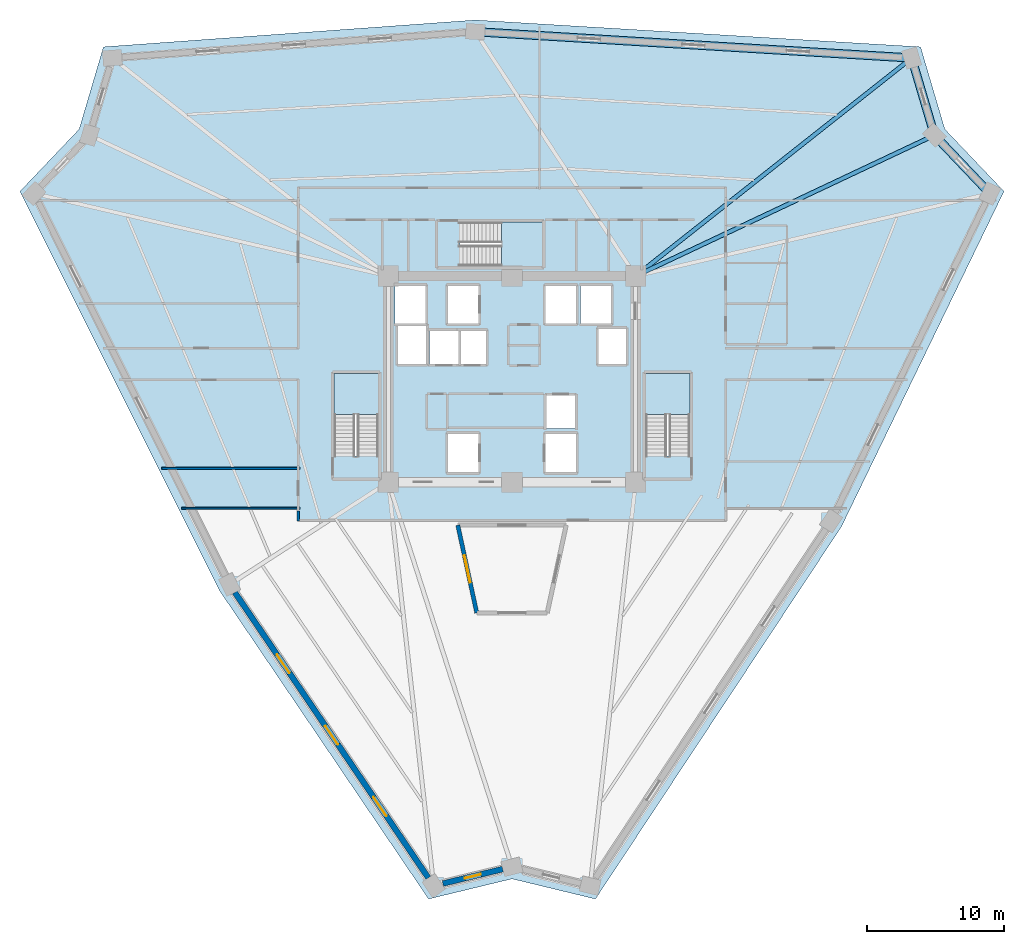
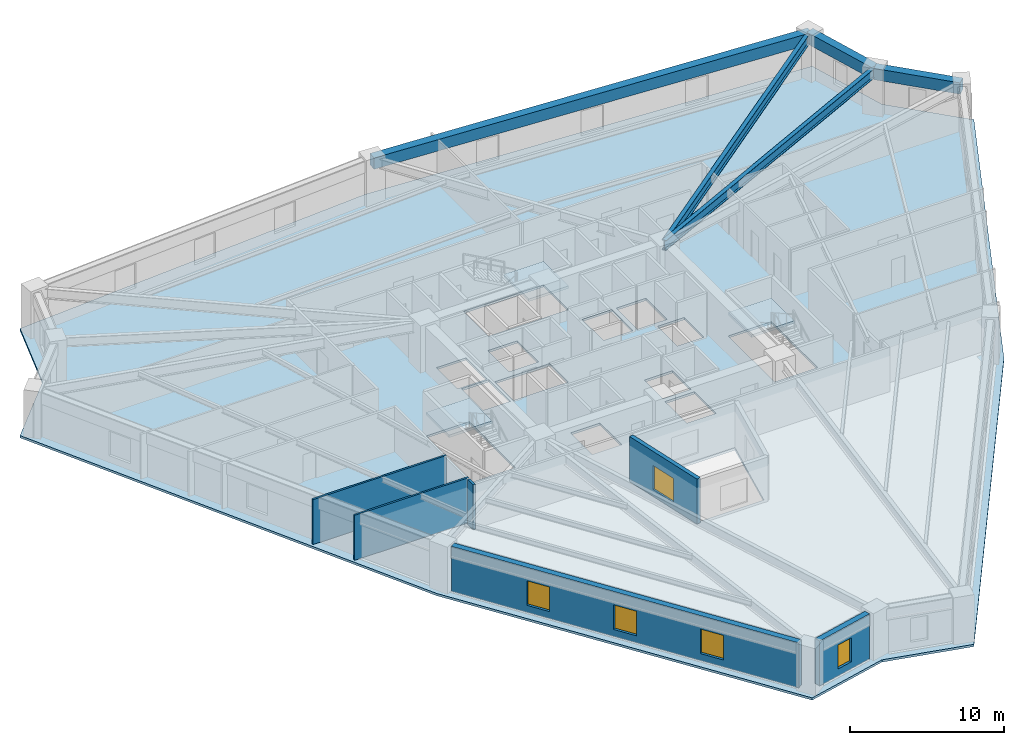
# One storey, part 2 of 10: 6 walls, 5 beams, 5 windows, 4 slabs, 5 openings, 3 elements without a shape of their own.
"""IFC4 building model written with IfcOpenShell, lengths in metres."""

from ifc_helpers import new_model, si_unit, direction, frame, frame_2d, origin, origin_2d, place, context, subcontext, project, spatial, polyline, rectangle, i_section, outline, extrude, source, transform, mapped, material, layer, layer_set, material_profile, profile_set, type_object, element, fill, aggregate, save


model = new_model("IFC4")

# Units and contexts
model_context = context("Model", 3, precision=1e-05, world=origin(), true_north=direction((0.0, 1.0)))
body_context = subcontext(model_context, "Body", "Model", "MODEL_VIEW")
ifc_project = project(units=[si_unit("LENGTHUNIT", "METRE"), si_unit("AREAUNIT", "SQUARE_METRE"), si_unit("VOLUMEUNIT", "CUBIC_METRE"), si_unit("PLANEANGLEUNIT", "RADIAN"), si_unit("MASSUNIT", "GRAM", prefix="KILO")], contexts=[model_context])

# Site, building, storey
site_placement = place(None, origin())
site = spatial("IfcSite", under=ifc_project, at=site_placement, CompositionType="ELEMENT")
building_placement = place(site_placement, origin())
building = spatial("IfcBuilding", under=site, at=building_placement, Name="Liaohun Quay Tower", CompositionType="ELEMENT")
storey_placement = place(building_placement, frame((0.0, 0.0, 166.5)))
storey = spatial("IfcBuildingStorey", under=building, at=storey_placement, Name="L43", CompositionType="ELEMENT", Elevation=166.5)

# Beams
ifc_material_1 = material(Name="Steel Q355D", Category="steel")
ifc_material_profile_1 = material_profile(ifc_material_1, i_section(OverallWidth=0.300048828125, OverallDepth=0.75, WebThickness=0.013916015625, FlangeThickness=0.02587890625, at=origin_2d()), Name="HN750x300x14x26")
ifc_profile_set_1 = profile_set([ifc_material_profile_1], Name="Steel Q355D")
beam_type_1 = type_object("IfcBeamType", Name="BM-RAD-M2", PredefinedType="BEAM", material=ifc_profile_set_1)
shared_shape_1 = source(origin(), body_context, "Body", "SweptSolid", [
    extrude(i_section(OverallWidth=0.300048828125, OverallDepth=0.75, WebThickness=0.013916015625, FlangeThickness=0.02587890625, at=origin_2d()), origin(), (0.0, 0.0, 1.0), 24.041015625),
])
beam_1_placement = place(storey_placement, frame((69.0, 61.5, 3.195068359375), z_axis=(0.904537729086, 0.426393593597, 0.0), x_axis=(-0.426393593597, 0.904537729086, 0.0)))
element("IfcBeam", 1, at=beam_1_placement, inside=storey, type_object=beam_type_1, Name="L43 Radial Primary Girder CC4-PC08", PredefinedType="BEAM", context=body_context, shape_type="MappedRepresentation", body=[
    mapped(shared_shape_1, transform((0.0, 0.0, 0.0), x_axis=(1.0, 0.0, 0.0), y_axis=(0.0, 1.0, 0.0), z_axis=(0.0, 0.0, 1.0), scale=1.0)),
])
ifc_material_profile_2 = material_profile(ifc_material_1, i_section(OverallWidth=0.300048828125, OverallDepth=0.800048828125, WebThickness=0.013916015625, FlangeThickness=0.02587890625, at=origin_2d()), Name="HN800x300x14x26")
ifc_profile_set_2 = profile_set([ifc_material_profile_2], Name="Steel Q355D")
beam_type_2 = type_object("IfcBeamType", Name="BM-RAD-M1", PredefinedType="BEAM", material=ifc_profile_set_2)
shared_shape_2 = source(origin(), body_context, "Body", "SweptSolid", [
    extrude(i_section(OverallWidth=0.300048828125, OverallDepth=0.800048828125, WebThickness=0.013916015625, FlangeThickness=0.02587890625, at=origin_2d()), origin(), (0.0, 0.0, 1.0), 25.60009765625),
])
beam_2_placement = place(storey_placement, frame((69.0, 61.5, 3.169921875), z_axis=(0.784728949554, 0.619839072447, 0.0), x_axis=(-0.619839072447, 0.784728949554, 0.0)))
element("IfcBeam", 2, at=beam_2_placement, inside=storey, type_object=beam_type_2, Name="L43 Radial Primary Girder CC4-PC07", PredefinedType="BEAM", context=body_context, shape_type="MappedRepresentation", body=[
    mapped(shared_shape_2, transform((0.0, 0.0, 0.0), x_axis=(1.0, 0.0, 0.0), y_axis=(0.0, 1.0, 0.0), z_axis=(0.0, 0.0, 1.0), scale=1.0)),
])
ifc_material_2 = material(Name="Precast concrete C55", Category="concrete")
ifc_material_profile_3 = material_profile(ifc_material_2, rectangle(XDim=0.60009765625, YDim=0.89990234375, at=origin_2d()), Name="RC600x900")
ifc_profile_set_3 = profile_set([ifc_material_profile_3], Name="Precast concrete C55")
beam_type_3 = type_object("IfcBeamType", Name="BM-SPD-Z2", PredefinedType="SPANDREL", material=ifc_profile_set_3)
shared_shape_3 = source(origin(), body_context, "Body", "SweptSolid", [
    extrude(rectangle(XDim=0.60009765625, YDim=0.89990234375, at=origin_2d()), origin(), (0.0, 0.0, 1.0), 31.817626953125),
])
beam_3_placement = place(storey_placement, frame((57.3291015625, 79.282958984375, 3.1201171875), z_axis=(0.998187067005, -0.060187866411, 0.0), x_axis=(0.060187866411, 0.998187067005, 0.0)))
element("IfcBeam", 3, at=beam_3_placement, inside=storey, type_object=beam_type_3, Name="L43 Precast Spandrel Beam PC06-PC07", PredefinedType="SPANDREL", context=body_context, shape_type="MappedRepresentation", body=[
    mapped(shared_shape_3, transform((0.0, 0.0, 0.0), x_axis=(1.0, 0.0, 0.0), y_axis=(0.0, 1.0, 0.0), z_axis=(0.0, 0.0, 1.0), scale=1.0)),
])
shared_shape_4 = source(origin(), body_context, "Body", "SweptSolid", [
    extrude(rectangle(XDim=0.60009765625, YDim=0.89990234375, at=origin_2d()), origin(), (0.0, 0.0, 1.0), 5.856201171875),
])
beam_4_placement = place(storey_placement, frame((89.089111328125, 77.367919921875, 3.1201171875), z_axis=(0.282942654403, -0.959136827736, 0.0), x_axis=(0.959136827736, 0.282942654403, 0.0)))
element("IfcBeam", 4, at=beam_4_placement, inside=storey, type_object=beam_type_3, Name="L43 Precast Spandrel Beam PC07-PC08", PredefinedType="SPANDREL", context=body_context, shape_type="MappedRepresentation", body=[
    mapped(shared_shape_4, transform((0.0, 0.0, 0.0), x_axis=(1.0, 0.0, 0.0), y_axis=(0.0, 1.0, 0.0), z_axis=(0.0, 0.0, 1.0), scale=1.0)),
])
shared_shape_5 = source(origin(), body_context, "Body", "SweptSolid", [
    extrude(rectangle(XDim=0.60009765625, YDim=0.89990234375, at=origin_2d()), origin(), (0.0, 0.0, 1.0), 5.863037109375),
])
beam_5_placement = place(storey_placement, frame((90.74609375, 71.7509765625, 3.1201171875), z_axis=(0.68923082768, -0.724541831902, 0.0), x_axis=(0.724541831902, 0.68923082768, 0.0)))
element("IfcBeam", 5, at=beam_5_placement, inside=storey, type_object=beam_type_3, Name="L43 Precast Spandrel Beam PC08-PC09", PredefinedType="SPANDREL", context=body_context, shape_type="MappedRepresentation", body=[
    mapped(shared_shape_5, transform((0.0, 0.0, 0.0), x_axis=(1.0, 0.0, 0.0), y_axis=(0.0, 1.0, 0.0), z_axis=(0.0, 0.0, 1.0), scale=1.0)),
])

# Stair, slab
ifc_material_3 = material(Name="Concrete C45", Category="concrete")
stair_type = type_object("IfcStairType", Name="STR-CORE-OFF", PredefinedType="HALF_TURN_STAIR", material=ifc_material_3)
stair_1_placement = place(storey_placement, origin())
stair_1 = element("IfcStair", 6, at=stair_1_placement, inside=storey, type_object=stair_type, Name="L43 Smokeproof Core Exit Stair ST-1", PredefinedType="HALF_TURN_STAIR")
ifc_layer_1 = layer(ifc_material_3, 0.199951171875, Name="Concrete C45", Category="concrete")
ifc_layer_set_1 = layer_set([ifc_layer_1], Name="Concrete C45")
slab_type_1 = type_object("IfcSlabType", Name="SLB-LND-200", PredefinedType="LANDING", material=ifc_layer_set_1)
slab_1_placement = place(storey_placement, frame((0.0, 0.0, 1.675048828125)))
slab_1 = element("IfcSlab", 7, at=slab_1_placement, type_object=slab_type_1, Name="ST-1 landing 1", PredefinedType="LANDING", context=body_context, shape_type="SweptSolid", body=[
    extrude(outline(polyline([(50.280029296875, 51.429931640625), (50.280029296875, 54.419921875), (47.0400390625, 54.419921875), (47.0400390625, 51.429931640625), (50.280029296875, 51.429931640625)])), origin(), (0.0, 0.0, 1.0), 0.199951171875),
])
aggregate(stair_1, [slab_1])

stair_2_placement = place(storey_placement, origin())
stair_2 = element("IfcStair", 8, at=stair_2_placement, inside=storey, type_object=stair_type, Name="L43 Smokeproof Core Exit Stair ST-2", PredefinedType="HALF_TURN_STAIR")
slab_2_placement = place(storey_placement, frame((0.0, 0.0, 1.675048828125)))
slab_2 = element("IfcSlab", 9, at=slab_2_placement, type_object=slab_type_1, Name="ST-2 landing 1", PredefinedType="LANDING", context=body_context, shape_type="SweptSolid", body=[
    extrude(outline(polyline([(72.9599609375, 51.429931640625), (72.9599609375, 54.419921875), (69.719970703125, 54.419921875), (69.719970703125, 51.429931640625), (72.9599609375, 51.429931640625)])), origin(), (0.0, 0.0, 1.0), 0.199951171875),
])
aggregate(stair_2, [slab_2])

stair_3_placement = place(storey_placement, origin())
stair_3 = element("IfcStair", 10, at=stair_3_placement, inside=storey, type_object=stair_type, Name="L43 Smokeproof Core Exit Stair ST-3", PredefinedType="HALF_TURN_STAIR")
slab_3_placement = place(storey_placement, frame((0.0, 0.0, 1.675048828125)))
slab_3 = element("IfcSlab", 11, at=slab_3_placement, type_object=slab_type_1, Name="ST-3 landing 1", PredefinedType="LANDING", context=body_context, shape_type="SweptSolid", body=[
    extrude(outline(polyline([(59.22998046875, 62.199951171875), (62.219970703125, 62.199951171875), (62.219970703125, 65.43994140625), (59.22998046875, 65.43994140625), (59.22998046875, 62.199951171875)])), origin(), (0.0, 0.0, 1.0), 0.199951171875),
])
aggregate(stair_3, [slab_3])

# Slab
ifc_layer_2 = layer(ifc_material_3, 0.179931640625, Name="Concrete C45", Category="concrete")
ifc_layer_set_2 = layer_set([ifc_layer_2], Name="Concrete C45")
slab_type_2 = type_object("IfcSlabType", Name="SLB-OFF-180", PredefinedType="FLOOR", material=ifc_layer_set_2)
slab_4_placement = place(storey_placement, frame((0.0, 0.0, -0.179931640625)))
element("IfcSlab", 12, at=slab_4_placement, inside=storey, type_object=slab_type_2, Name="L43 Structural Floor Slab", PredefinedType="FLOOR", context=body_context, shape_type="SweptSolid", body=[
    extrude(outline(polyline([(53.927001953125, 16.156982421875), (60.0, 17.6240234375), (66.072998046875, 16.156982421875), (83.971923828125, 43.25), (95.80908203125, 67.662109375), (91.5029296875, 72.18798828125), (89.736083984375, 78.180908203125), (57.323974609375, 80.135009765625), (30.263916015625, 78.180908203125), (28.4970703125, 72.18798828125), (24.19091796875, 67.662109375), (38.705078125, 38.614990234375), (53.927001953125, 16.156982421875)]), holes=[polyline([(57.56005859375, 50.030029296875), (55.340087890625, 50.030029296875), (55.340087890625, 47.2099609375), (57.56005859375, 47.2099609375), (57.56005859375, 50.030029296875)]), polyline([(50.280029296875, 54.419921875), (47.0400390625, 54.419921875), (47.0400390625, 48.409912109375), (50.280029296875, 48.409912109375), (50.280029296875, 54.419921875)]), polyline([(53.989990234375, 55.090087890625), (58.110107421875, 55.090087890625), (58.110107421875, 57.510009765625), (53.989990234375, 57.510009765625), (53.989990234375, 55.090087890625)]), polyline([(53.760009765625, 55.090087890625), (53.760009765625, 57.909912109375), (51.7099609375, 57.909912109375), (51.7099609375, 55.090087890625), (53.760009765625, 55.090087890625)]), polyline([(53.7099609375, 58.0400390625), (53.7099609375, 60.7900390625), (51.489990234375, 60.7900390625), (51.489990234375, 58.0400390625), (53.7099609375, 58.0400390625)]), polyline([(57.56005859375, 58.0400390625), (57.56005859375, 60.7900390625), (55.340087890625, 60.7900390625), (55.340087890625, 58.0400390625), (57.56005859375, 58.0400390625)]), polyline([(62.219970703125, 62.199951171875), (62.219970703125, 65.43994140625), (56.2099609375, 65.43994140625), (56.2099609375, 62.199951171875), (62.219970703125, 62.199951171875)]), polyline([(62.427001953125, 37.155029296875), (63.73388671875, 43.199951171875), (56.26611328125, 43.199951171875), (57.572998046875, 37.155029296875), (62.427001953125, 37.155029296875)]), polyline([(64.659912109375, 47.2099609375), (64.659912109375, 50.030029296875), (62.43994140625, 50.030029296875), (62.43994140625, 47.2099609375), (64.659912109375, 47.2099609375)]), polyline([(72.9599609375, 54.419921875), (69.719970703125, 54.419921875), (69.719970703125, 48.409912109375), (72.9599609375, 48.409912109375), (72.9599609375, 54.419921875)]), polyline([(64.610107421875, 50.389892578125), (64.610107421875, 52.81005859375), (62.489990234375, 52.81005859375), (62.489990234375, 50.389892578125), (64.610107421875, 50.389892578125)]), polyline([(68.2900390625, 55.090087890625), (68.2900390625, 57.659912109375), (66.2900390625, 57.659912109375), (66.2900390625, 55.090087890625), (68.2900390625, 55.090087890625)]), polyline([(64.659912109375, 58.0400390625), (64.659912109375, 60.7900390625), (62.43994140625, 60.7900390625), (62.43994140625, 58.0400390625), (64.659912109375, 58.0400390625)]), polyline([(67.2099609375, 58.0400390625), (67.2099609375, 60.7900390625), (64.989990234375, 60.7900390625), (64.989990234375, 58.0400390625), (67.2099609375, 58.0400390625)])]), origin(), (0.0, 0.0, 1.0), 0.179931640625),
])

# Wall, opening, window
ifc_material_4 = material(Name="Concrete C50", Category="concrete")
ifc_layer_3 = layer(ifc_material_4, 0.300048828125, Name="Concrete C50", Category="concrete")
ifc_layer_set_3 = layer_set([ifc_layer_3], Name="Concrete C50")
wall_type_1 = type_object("IfcWallType", Name="WAL-ATR-300", PredefinedType="SOLIDWALL", material=ifc_layer_set_3)
wall_1_placement = place(storey_placement, frame((57.43603515625, 36.985107421875, 0.0), z_axis=(0.0, 0.0, 1.0), x_axis=(-0.211414812525, 0.977396427784, 0.0)))
wall_1 = element("IfcWall", 13, at=wall_1_placement, inside=storey, type_object=wall_type_1, Name="L43 Atrium Fire Compartment Wall 1", PredefinedType="SOLIDWALL", context=body_context, shape_type="SweptSolid", body=[
    extrude(rectangle(XDim=6.53271484375, YDim=0.300048828125, at=frame_2d((3.266357421875, 0.0))), origin(), (0.0, 0.0, 1.0), 3.570068359375),
])
shared_shape_6 = source(origin(), body_context, "Body", "SweptSolid", [
    extrude(rectangle(XDim=2.0, YDim=1.89990234375, at=frame_2d((1.0, 0.949951171875))), frame((0.0, 0.159912109375, 0.0), z_axis=(0.0, -1.0, 0.0), x_axis=(1.0, 0.0, 0.0)), (0.0, 0.0, 1.0), 0.320068359375),
])
opening_1_placement = place(wall_1_placement, frame((2.26611328125, 0.0, 0.550048828125)))
opening_1 = element("IfcOpeningElement", 14, at=opening_1_placement, cuts=wall_1, Name="Opening W07", PredefinedType="OPENING", context=body_context, shape_type="MappedRepresentation", body=[
    mapped(shared_shape_6, transform((0.0, 0.0, 0.0), x_axis=(1.0, 0.0, 0.0), y_axis=(0.0, 1.0, 0.0), z_axis=(0.0, 0.0, 1.0), scale=1.0)),
])
ifc_material_5 = material(Name="Class A 180-min fire-resistant insulated glazing", Category="glass")
window_type_1 = type_object("IfcWindowType", Name="WIN-ATR-FIR", PartitioningType="DOUBLE_PANEL_VERTICAL", PredefinedType="WINDOW", material=ifc_material_5)
shared_shape_7 = source(origin(), body_context, "Body", "SweptSolid", [
    extrude(rectangle(XDim=2.0, YDim=1.89990234375, at=frame_2d((1.0, 0.949951171875))), frame((0.0, 0.030029296875, 0.0), z_axis=(0.0, -1.0, 0.0), x_axis=(1.0, 0.0, 0.0)), (0.0, 0.0, 1.0), 0.06005859375),
])
window_1_placement = place(opening_1_placement, origin())
window_1 = element("IfcWindow", 15, at=window_1_placement, inside=storey, type_object=window_type_1, Name="L43 Atrium Fire-Resistant Glazing W07-1", OverallHeight=1.89990234375, OverallWidth=2.0, PartitioningType="DOUBLE_PANEL_VERTICAL", PredefinedType="WINDOW", context=body_context, shape_type="MappedRepresentation", body=[
    mapped(shared_shape_7, transform((0.0, 0.0, 0.0), x_axis=(1.0, 0.0, 0.0), y_axis=(0.0, 1.0, 0.0), z_axis=(0.0, 0.0, 1.0), scale=1.0)),
])
fill(opening_1, window_1)

# Wall, openings, windows
ifc_material_6 = material(Name="Precast concrete C50 insulated sandwich", Category="concrete")
ifc_layer_4 = layer(ifc_material_6, 0.419921875, Name="Precast concrete C50 insulated sandwich", Category="concrete")
ifc_layer_set_4 = layer_set([ifc_layer_4], Name="Precast concrete C50 insulated sandwich")
wall_type_2 = type_object("IfcWallType", Name="WAL-EXT-Z12", PredefinedType="SOLIDWALL", material=ifc_layer_set_4)
wall_2_placement = place(storey_placement, frame((39.826904296875, 38.47412109375, 0.0), z_axis=(0.0, 0.0, 1.0), x_axis=(0.561086370312, -0.827757262155, 0.0)))
wall_2 = element("IfcWall", 16, at=wall_2_placement, inside=storey, type_object=wall_type_2, Name="L43 Brutalist Precast Pier Wall 11", PredefinedType="SOLIDWALL", context=body_context, shape_type="SweptSolid", body=[
    extrude(rectangle(XDim=25.105224609375, YDim=0.419921875, at=frame_2d((12.552734375, 0.0))), origin(), (0.0, 0.0, 1.0), 3.570068359375),
])
shared_shape_8 = source(origin(), body_context, "Body", "SweptSolid", [
    extrude(rectangle(XDim=1.64990234375, YDim=1.949951171875, at=frame_2d((0.824951171875, 0.97509765625))), frame((0.0, 0.219970703125, 0.0), z_axis=(0.0, -1.0, 0.0), x_axis=(1.0, 0.0, 0.0)), (0.0, 0.0, 1.0), 0.43994140625),
])
opening_2_placement = place(wall_2_placement, frame((5.450927734375, 0.0, 0.550048828125)))
opening_2 = element("IfcOpeningElement", 17, at=opening_2_placement, cuts=wall_2, Name="Opening W02", PredefinedType="OPENING", context=body_context, shape_type="MappedRepresentation", body=[
    mapped(shared_shape_8, transform((0.0, 0.0, 0.0), x_axis=(1.0, 0.0, 0.0), y_axis=(0.0, 1.0, 0.0), z_axis=(0.0, 0.0, 1.0), scale=1.0)),
])
opening_3_placement = place(wall_2_placement, frame((11.72802734375, 0.0, 0.550048828125)))
opening_3 = element("IfcOpeningElement", 18, at=opening_3_placement, cuts=wall_2, Name="Opening W02", PredefinedType="OPENING", context=body_context, shape_type="MappedRepresentation", body=[
    mapped(shared_shape_8, transform((0.0, 0.0, 0.0), x_axis=(1.0, 0.0, 0.0), y_axis=(0.0, 1.0, 0.0), z_axis=(0.0, 0.0, 1.0), scale=1.0)),
])
opening_4_placement = place(wall_2_placement, frame((18.00390625, 0.0, 0.550048828125)))
opening_4 = element("IfcOpeningElement", 19, at=opening_4_placement, cuts=wall_2, Name="Opening W02", PredefinedType="OPENING", context=body_context, shape_type="MappedRepresentation", body=[
    mapped(shared_shape_8, transform((0.0, 0.0, 0.0), x_axis=(1.0, 0.0, 0.0), y_axis=(0.0, 1.0, 0.0), z_axis=(0.0, 0.0, 1.0), scale=1.0)),
])
ifc_material_7 = material(Name="Triple Low-E argon glazing in thermally broken aluminium", Category="aluminium")
window_type_2 = type_object("IfcWindowType", Name="WIN-PUN-Z2", PartitioningType="DOUBLE_PANEL_VERTICAL", PredefinedType="WINDOW", material=ifc_material_7)
shared_shape_9 = source(origin(), body_context, "Body", "SweptSolid", [
    extrude(rectangle(XDim=1.64990234375, YDim=1.949951171875, at=frame_2d((0.824951171875, 0.97509765625))), frame((0.0, 0.030029296875, 0.0), z_axis=(0.0, -1.0, 0.0), x_axis=(1.0, 0.0, 0.0)), (0.0, 0.0, 1.0), 0.06005859375),
])
window_2_placement = place(opening_2_placement, origin())
window_2 = element("IfcWindow", 20, at=window_2_placement, inside=storey, type_object=window_type_2, Name="L43 Recessed Cold-Climate Punched Window 11-1", OverallHeight=1.949951171875, OverallWidth=1.64990234375, PartitioningType="DOUBLE_PANEL_VERTICAL", PredefinedType="WINDOW", context=body_context, shape_type="MappedRepresentation", body=[
    mapped(shared_shape_9, transform((0.0, 0.0, 0.0), x_axis=(1.0, 0.0, 0.0), y_axis=(0.0, 1.0, 0.0), z_axis=(0.0, 0.0, 1.0), scale=1.0)),
])
fill(opening_2, window_2)
window_3_placement = place(opening_3_placement, origin())
window_3 = element("IfcWindow", 21, at=window_3_placement, inside=storey, type_object=window_type_2, Name="L43 Recessed Cold-Climate Punched Window 11-2", OverallHeight=1.949951171875, OverallWidth=1.64990234375, PartitioningType="DOUBLE_PANEL_VERTICAL", PredefinedType="WINDOW", context=body_context, shape_type="MappedRepresentation", body=[
    mapped(shared_shape_9, transform((0.0, 0.0, 0.0), x_axis=(1.0, 0.0, 0.0), y_axis=(0.0, 1.0, 0.0), z_axis=(0.0, 0.0, 1.0), scale=1.0)),
])
fill(opening_3, window_3)
window_4_placement = place(opening_4_placement, origin())
window_4 = element("IfcWindow", 22, at=window_4_placement, inside=storey, type_object=window_type_2, Name="L43 Recessed Cold-Climate Punched Window 11-3", OverallHeight=1.949951171875, OverallWidth=1.64990234375, PartitioningType="DOUBLE_PANEL_VERTICAL", PredefinedType="WINDOW", context=body_context, shape_type="MappedRepresentation", body=[
    mapped(shared_shape_9, transform((0.0, 0.0, 0.0), x_axis=(1.0, 0.0, 0.0), y_axis=(0.0, 1.0, 0.0), z_axis=(0.0, 0.0, 1.0), scale=1.0)),
])
fill(opening_4, window_4)

# Wall, opening, window
wall_3_placement = place(storey_placement, frame((54.970947265625, 17.283935546875, 0.0), z_axis=(0.0, 0.0, 1.0), x_axis=(0.972080495349, 0.234647630635, 0.0)))
wall_3 = element("IfcWall", 23, at=wall_3_placement, inside=storey, type_object=wall_type_2, Name="L43 Brutalist Precast Pier Wall 12", PredefinedType="SOLIDWALL", context=body_context, shape_type="SweptSolid", body=[
    extrude(rectangle(XDim=4.4833984375, YDim=0.419921875, at=frame_2d((2.24169921875, 0.0))), origin(), (0.0, 0.0, 1.0), 3.570068359375),
])
shared_shape_10 = source(origin(), body_context, "Body", "SweptSolid", [
    extrude(rectangle(XDim=1.199951171875, YDim=1.89990234375, at=frame_2d((0.60009765625, 0.949951171875))), frame((0.0, 0.219970703125, 0.0), z_axis=(0.0, -1.0, 0.0), x_axis=(1.0, 0.0, 0.0)), (0.0, 0.0, 1.0), 0.43994140625),
])
opening_5_placement = place(wall_3_placement, frame((1.64208984375, 0.0, 0.550048828125)))
opening_5 = element("IfcOpeningElement", 24, at=opening_5_placement, cuts=wall_3, Name="Opening W05", PredefinedType="OPENING", context=body_context, shape_type="MappedRepresentation", body=[
    mapped(shared_shape_10, transform((0.0, 0.0, 0.0), x_axis=(1.0, 0.0, 0.0), y_axis=(0.0, 1.0, 0.0), z_axis=(0.0, 0.0, 1.0), scale=1.0)),
])
ifc_material_8 = material(Name="Triple Low-E corner notch glazing", Category="glass")
window_type_3 = type_object("IfcWindowType", Name="WIN-NOTCH", PartitioningType="SINGLE_PANEL", PredefinedType="WINDOW", material=ifc_material_8)
shared_shape_11 = source(origin(), body_context, "Body", "SweptSolid", [
    extrude(rectangle(XDim=1.199951171875, YDim=1.89990234375, at=frame_2d((0.60009765625, 0.949951171875))), frame((0.0, 0.030029296875, 0.0), z_axis=(0.0, -1.0, 0.0), x_axis=(1.0, 0.0, 0.0)), (0.0, 0.0, 1.0), 0.06005859375),
])
window_5_placement = place(opening_5_placement, origin())
window_5 = element("IfcWindow", 25, at=window_5_placement, inside=storey, type_object=window_type_3, Name="L43 Corner Notch Window W05-12", OverallHeight=1.89990234375, OverallWidth=1.199951171875, PartitioningType="SINGLE_PANEL", PredefinedType="WINDOW", context=body_context, shape_type="MappedRepresentation", body=[
    mapped(shared_shape_11, transform((0.0, 0.0, 0.0), x_axis=(1.0, 0.0, 0.0), y_axis=(0.0, 1.0, 0.0), z_axis=(0.0, 0.0, 1.0), scale=1.0)),
])
fill(opening_5, window_5)

# Walls
ifc_material_9 = material(Name="Autoclaved aerated concrete blockwork", Category="masonry")
ifc_layer_5 = layer(ifc_material_9, 0.179931640625, Name="Autoclaved aerated concrete blockwork", Category="masonry")
ifc_layer_set_5 = layer_set([ifc_layer_5], Name="Autoclaved aerated concrete blockwork")
wall_type_3 = type_object("IfcWallType", Name="WAL-PRT-COR", PredefinedType="PARTITIONING", material=ifc_layer_set_5)
wall_4_placement = place(storey_placement, frame((44.43994140625, 43.669921875, 0.0), z_axis=(0.0, 0.0, 1.0), x_axis=(0.0, 1.0, 0.0)))
element("IfcWall", 26, at=wall_4_placement, inside=storey, type_object=wall_type_3, Name="L43 Interior Partition Wall 046", PredefinedType="PARTITIONING", context=body_context, shape_type="SweptSolid", body=[
    extrude(rectangle(XDim=0.715087890625, YDim=0.179931640625, at=frame_2d((0.357421875, 0.0))), origin(), (0.0, 0.0, 1.0), 3.570068359375),
])
ifc_material_10 = material(Name="Gypsum board on twin steel studs", Category="steel")
ifc_layer_6 = layer(ifc_material_10, 0.139892578125, Name="Gypsum board on twin steel studs", Category="steel")
ifc_layer_set_6 = layer_set([ifc_layer_6], Name="Gypsum board on twin steel studs")
wall_type_4 = type_object("IfcWallType", Name="WAL-PRT-OFF", PredefinedType="PARTITIONING", material=ifc_layer_set_6)
wall_5_placement = place(storey_placement, frame((44.5400390625, 44.60009765625, 0.0), z_axis=(0.0, 0.0, 1.0), x_axis=(-1.0, 0.0, 0.0)))
element("IfcWall", 27, at=wall_5_placement, inside=storey, type_object=wall_type_4, Name="L43 Interior Partition Wall 049", PredefinedType="PARTITIONING", context=body_context, shape_type="SweptSolid", body=[
    extrude(rectangle(XDim=8.580078125, YDim=0.139892578125, at=frame_2d((4.2900390625, 0.0))), origin(), (0.0, 0.0, 1.0), 3.570068359375),
])
wall_6_placement = place(storey_placement, frame((44.5400390625, 47.5, 0.0), z_axis=(0.0, 0.0, 1.0), x_axis=(-1.0, 0.0, 0.0)))
element("IfcWall", 28, at=wall_6_placement, inside=storey, type_object=wall_type_4, Name="L43 Interior Partition Wall 050", PredefinedType="PARTITIONING", context=body_context, shape_type="SweptSolid", body=[
    extrude(rectangle(XDim=10.029052734375, YDim=0.139892578125, at=frame_2d((5.0146484375, 0.0))), origin(), (0.0, 0.0, 1.0), 3.570068359375),
])

save(model, "model.ifc")
